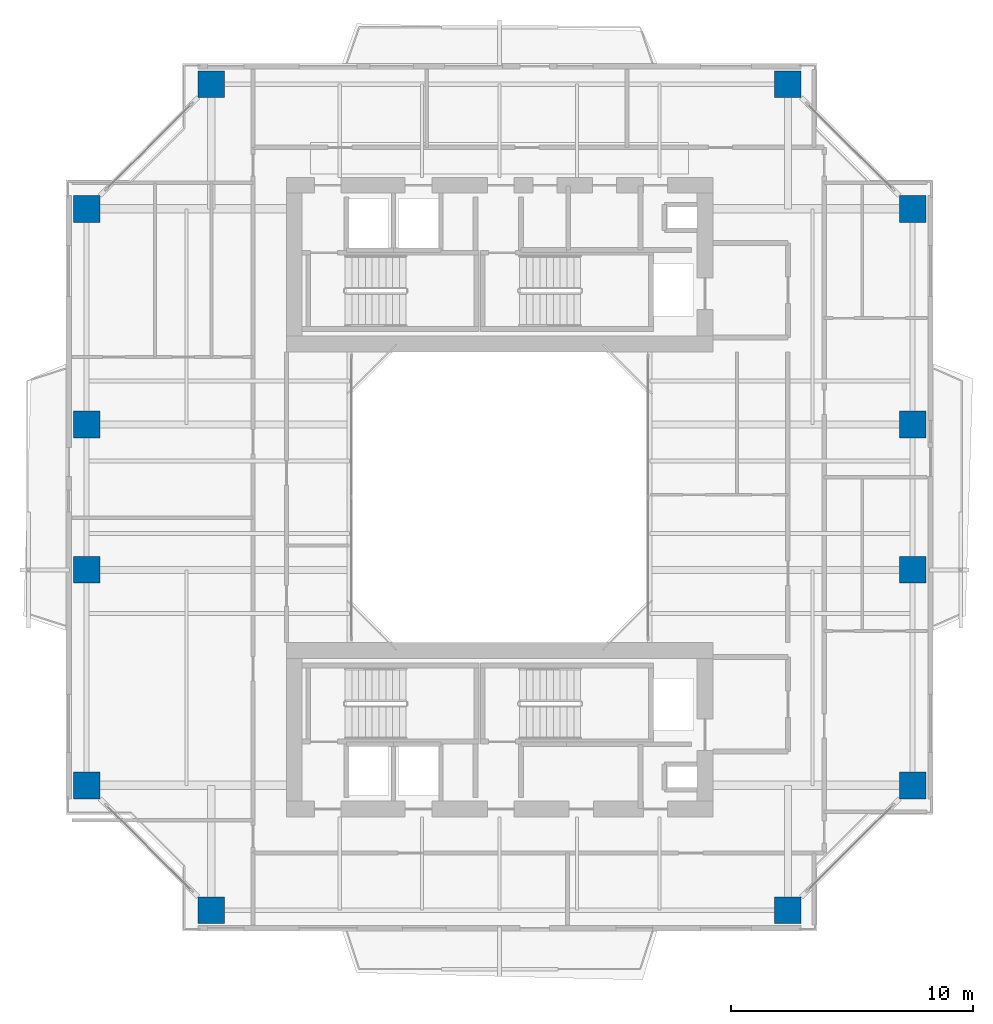
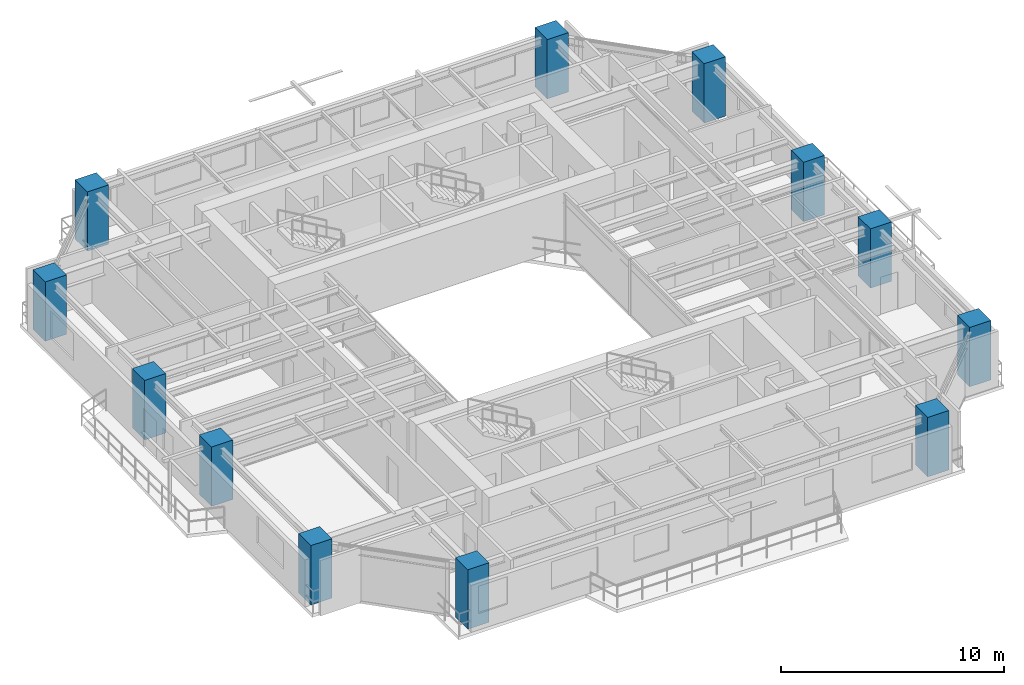
# One storey, part 1 of 16: 12 columns.
"""IFC4 building model written with IfcOpenShell, lengths in metres."""

from ifc_helpers import new_model, si_unit, direction, frame, origin, origin_2d, place, context, subcontext, project, spatial, rectangle, extrude, source, transform, mapped, material, material_profile, profile_set, type_object, element, save


model = new_model("IFC4")

# Units and contexts
model_context = context("Model", 3, precision=1e-05, world=origin(), true_north=direction((0.0, 1.0)))
body_context = subcontext(model_context, "Body", "Model", "MODEL_VIEW")
ifc_project = project(units=[si_unit("LENGTHUNIT", "METRE"), si_unit("AREAUNIT", "SQUARE_METRE"), si_unit("VOLUMEUNIT", "CUBIC_METRE"), si_unit("PLANEANGLEUNIT", "RADIAN"), si_unit("MASSUNIT", "GRAM", prefix="KILO"), si_unit("THERMODYNAMICTEMPERATUREUNIT", "KELVIN"), si_unit("POWERUNIT", "WATT")], contexts=[model_context])

# Site, building, storey
site_placement = place(None, origin())
site = spatial("IfcSite", under=ifc_project, at=site_placement, CompositionType="ELEMENT")
building_placement = place(site_placement, origin())
building = spatial("IfcBuilding", under=site, at=building_placement, Name="Qiaomeng Ring Towers", CompositionType="ELEMENT")
storey_placement = place(building_placement, frame((0.0, 0.0, 136.0)))
storey = spatial("IfcBuildingStorey", under=building, at=storey_placement, Name="L39", CompositionType="ELEMENT", Elevation=136.0)

# Columns
ifc_material = material(Name="Concrete C55", Category="concrete")
ifc_material_profile = material_profile(ifc_material, rectangle(XDim=1.10009765625, YDim=1.10009765625, at=origin_2d()), Name="RC COL 1100x1100")
ifc_profile_set = profile_set([ifc_material_profile], Name="Concrete C55")
column_type = type_object("IfcColumnType", Name="STR-COL-1100-C55", PredefinedType="COLUMN", material=ifc_profile_set)
shared_shape = source(origin(), body_context, "Body", "SweptSolid", [
    extrude(rectangle(XDim=1.10009765625, YDim=1.10009765625, at=origin_2d()), origin(), (0.0, 0.0, 1.0), 3.25),
])
for number, where, z_axis, x_axis, name in (
    (1, (7.10009765625, 5.949951171875, 0.0), (0.0, 0.0, 1.0), (1.0, 0.0, 0.0), "L39 column STR-COL-L39-T1-S1"),
    (2, (30.89990234375, 5.949951171875, 0.0), (0.0, 0.0, 1.0), (1.0, 0.0, 0.0), "L39 column STR-COL-L39-T1-S2"),
    (3, (36.050048828125, 11.10009765625, 0.0), (0.0, 0.0, 1.0), (1.0, 0.0, 0.0), "L39 column STR-COL-L39-T1-E1"),
    (4, (36.050048828125, 20.0, 0.0), (0.0, 0.0, 1.0), (1.0, 0.0, 0.0), "L39 column STR-COL-L39-T1-E2"),
    (5, (36.050048828125, 26.0, 0.0), (0.0, 0.0, 1.0), (1.0, 0.0, 0.0), "L39 column STR-COL-L39-T1-E3"),
    (6, (36.050048828125, 34.89990234375, 0.0), (0.0, 0.0, 1.0), (1.0, 0.0, 0.0), "L39 column STR-COL-L39-T1-E4"),
    (7, (30.89990234375, 40.050048828125, 0.0), (0.0, 0.0, 1.0), (1.0, 0.0, 0.0), "L39 column STR-COL-L39-T1-N2"),
    (8, (7.10009765625, 40.050048828125, 0.0), (0.0, 0.0, 1.0), (1.0, 0.0, 0.0), "L39 column STR-COL-L39-T1-N1"),
    (9, (1.949951171875, 34.89990234375, 0.0), (0.0, 0.0, 1.0), (1.0, 0.0, 0.0), "L39 column STR-COL-L39-T1-W4"),
    (10, (1.949951171875, 26.0, 0.0), (0.0, 0.0, 1.0), (1.0, 0.0, 0.0), "L39 column STR-COL-L39-T1-W3"),
    (11, (1.949951171875, 20.0, 0.0), (0.0, 0.0, 1.0), (1.0, 0.0, 0.0), "L39 column STR-COL-L39-T1-W2"),
    (12, (1.949951171875, 11.10009765625, 0.0), (0.0, 0.0, 1.0), (1.0, 0.0, 0.0), "L39 column STR-COL-L39-T1-W1"),
):
    element("IfcColumn", number, at=place(storey_placement, frame(where, z_axis=z_axis, x_axis=x_axis)), inside=storey, type_object=column_type, Name=name, PredefinedType="COLUMN", context=body_context, shape_type="MappedRepresentation", body=[
        mapped(shared_shape, transform((0.0, 0.0, 0.0), x_axis=(1.0, 0.0, 0.0), y_axis=(0.0, 1.0, 0.0), z_axis=(0.0, 0.0, 1.0), scale=1.0)),
    ])

save(model, "model.ifc")
